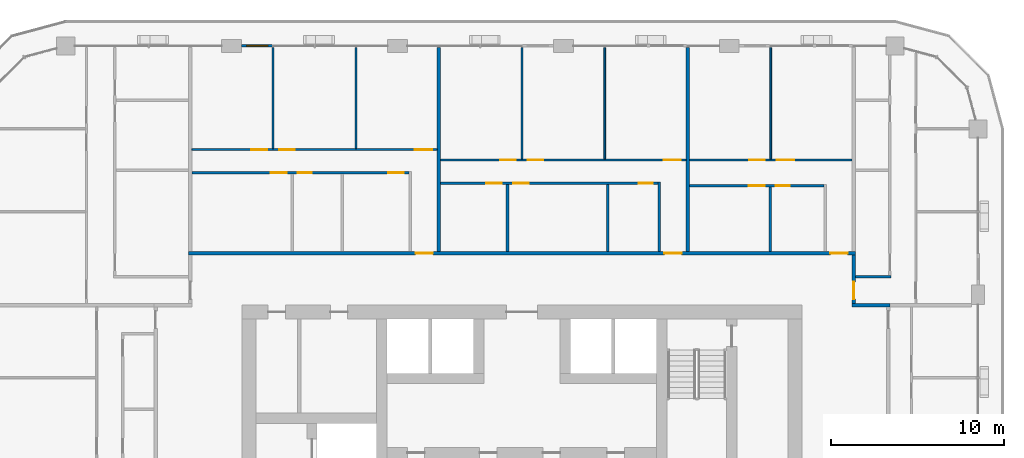
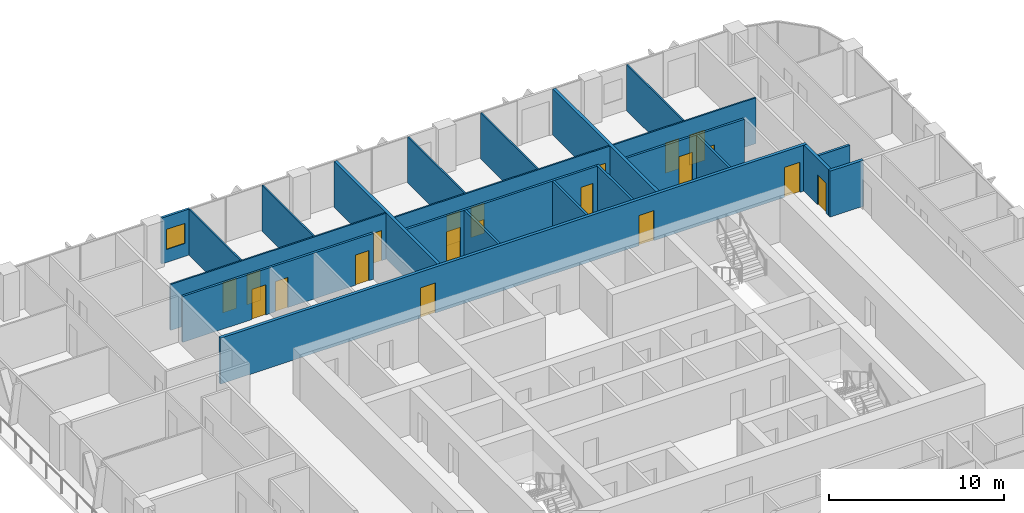
# One storey, part 14 of 22: 22 walls, 20 doors, 1 window, 21 openings.
"""IFC4 building model written with IfcOpenShell, lengths in metres."""

from ifc_helpers import new_model, si_unit, direction, frame, frame_2d, origin, place, context, subcontext, project, spatial, rectangle, extrude, material, layer, layer_set, type_object, element, fill, save


model = new_model("IFC4")

# Units and contexts
model_context = context("Model", 3, precision=1e-05, world=origin(), true_north=direction((0.0, 1.0)))
body_context = subcontext(model_context, "Body", "Model", "MODEL_VIEW")
ifc_project = project(units=[si_unit("LENGTHUNIT", "METRE"), si_unit("AREAUNIT", "SQUARE_METRE"), si_unit("VOLUMEUNIT", "CUBIC_METRE"), si_unit("PLANEANGLEUNIT", "RADIAN"), si_unit("MASSUNIT", "GRAM", prefix="KILO")], contexts=[model_context])

# Site, building, storey
site_placement = place(None, origin())
site = spatial("IfcSite", under=ifc_project, at=site_placement, CompositionType="ELEMENT")
building_placement = place(site_placement, origin())
building = spatial("IfcBuilding", under=site, at=building_placement, Name="Madar Terraces", CompositionType="ELEMENT")
storey_placement = place(building_placement, frame((0.0, 0.0, 126.10009765625)))
storey = spatial("IfcBuildingStorey", under=building, at=storey_placement, Name="L32", CompositionType="ELEMENT", Elevation=126.10009765625)

# Wall, opening, window
ifc_material_1 = material(Name="Aluminium composite panel, black, over insulated backing", Category="aluminium")
ifc_layer_1 = layer(ifc_material_1, 0.14990234375)
ifc_layer_set_1 = layer_set([ifc_layer_1], Name="Facade bay panel 150")
wall_type_1 = type_object("IfcWallType", Name="Facade bay panel 150", PredefinedType="SOLIDWALL", material=ifc_layer_set_1)
wall_1_placement = place(storey_placement, frame((16.800048828125, 52.800048828125, 0.0), z_axis=(0.0, 0.0, 1.0), x_axis=(-1.0, 0.0, 0.0)))
wall_1 = element("IfcWall", 1, at=wall_1_placement, inside=storey, type_object=wall_type_1, Name="Facade bay panel", PredefinedType="SOLIDWALL", context=body_context, shape_type="SweptSolid", body=[
    extrude(rectangle(XDim=1.824951171875, YDim=0.14990234375, at=frame_2d((0.91259765625, 0.0))), origin(), (0.0, 0.0, 1.0), 3.199951171875),
])
opening_1_placement = place(wall_1_placement, frame((0.3125, 0.0, 0.89990234375)))
opening_1 = element("IfcOpeningElement", 2, at=opening_1_placement, cuts=wall_1, Name="Opening W1", PredefinedType="OPENING", context=body_context, shape_type="SweptSolid", body=[
    extrude(rectangle(XDim=1.199951171875, YDim=1.39990234375, at=frame_2d((0.60009765625, 0.699951171875))), frame((0.0, 0.0849609375, 0.0), z_axis=(0.0, -1.0, 0.0), x_axis=(1.0, 0.0, 0.0)), (0.0, 0.0, 1.0), 0.169921875),
])
ifc_material_2 = material(Name="Glass, clear, with black aluminium frame", Category="aluminium")
window_type = type_object("IfcWindowType", Name="Vent window 1200 x 1400", PartitioningType="SINGLE_PANEL", PredefinedType="WINDOW", material=ifc_material_2)
window_placement = place(opening_1_placement, origin())
window = element("IfcWindow", 3, at=window_placement, inside=storey, type_object=window_type, Name="Operable vent window", OverallHeight=1.39990234375, OverallWidth=1.199951171875, PartitioningType="SINGLE_PANEL", PredefinedType="WINDOW", context=body_context, shape_type="SweptSolid", body=[
    extrude(rectangle(XDim=1.199951171875, YDim=1.39990234375, at=frame_2d((0.60009765625, 0.699951171875))), frame((0.0, 0.030029296875, 0.0), z_axis=(0.0, -1.0, 0.0), x_axis=(1.0, 0.0, 0.0)), (0.0, 0.0, 1.0), 0.06005859375),
])
fill(opening_1, window)

# Wall
ifc_material_3 = material(Name="Gypsum board on steel studs", Category="steel")
ifc_layer_2 = layer(ifc_material_3, 0.10009765625)
ifc_layer_set_2 = layer_set([ifc_layer_2], Name="Flat partition 100")
wall_type_2 = type_object("IfcWallType", Name="Flat partition 100", PredefinedType="PARTITIONING", material=ifc_layer_set_2)
wall_2_placement = place(storey_placement, frame((45.60009765625, 46.25, 0.0), z_axis=(0.0, 0.0, 1.0), x_axis=(0.0, 1.0, 0.0)))
element("IfcWall", 4, at=wall_2_placement, inside=storey, type_object=wall_type_2, Name="Flat partition 100", PredefinedType="PARTITIONING", context=body_context, shape_type="SweptSolid", body=[
    extrude(rectangle(XDim=6.449951171875, YDim=0.10009765625, at=frame_2d((3.22509765625, 0.0))), origin(), (0.0, 0.0, 1.0), 3.199951171875),
])

# Wall, openings, doors
wall_3_placement = place(storey_placement, frame((40.89990234375, 46.199951171875, 0.0), z_axis=(0.0, 0.0, 1.0), x_axis=(1.0, 0.0, 0.0)))
wall_3 = element("IfcWall", 5, at=wall_3_placement, inside=storey, type_object=wall_type_2, Name="Flat partition 100", PredefinedType="PARTITIONING", context=body_context, shape_type="SweptSolid", body=[
    extrude(rectangle(XDim=9.400146484375, YDim=0.10009765625, at=frame_2d((4.7001953125, 0.0))), origin(), (0.0, 0.0, 1.0), 3.199951171875),
])
opening_2_placement = place(wall_3_placement, frame((5.050048828125, 0.0, 0.0)))
opening_2 = element("IfcOpeningElement", 6, at=opening_2_placement, cuts=wall_3, Name="Opening D3", PredefinedType="OPENING", context=body_context, shape_type="SweptSolid", body=[
    extrude(rectangle(XDim=1.0, YDim=2.10009765625, at=frame_2d((0.5, 1.050048828125))), frame((0.0, 0.06005859375, 0.0), z_axis=(0.0, -1.0, 0.0), x_axis=(1.0, 0.0, 0.0)), (0.0, 0.0, 1.0), 0.1201171875),
])
opening_3_placement = place(wall_3_placement, frame((3.449951171875, 0.0, 0.0)))
opening_3 = element("IfcOpeningElement", 7, at=opening_3_placement, cuts=wall_3, Name="Opening D2", PredefinedType="OPENING", context=body_context, shape_type="SweptSolid", body=[
    extrude(rectangle(XDim=0.89990234375, YDim=2.10009765625, at=frame_2d((0.449951171875, 1.050048828125))), frame((0.0, 0.06005859375, 0.0), z_axis=(0.0, -1.0, 0.0), x_axis=(1.0, 0.0, 0.0)), (0.0, 0.0, 1.0), 0.1201171875),
])
ifc_material_4 = material(Name="Timber door leaf", Category="wood")
door_type_1 = type_object("IfcDoorType", Name="Flat living room door 1000", OperationType="NOTDEFINED", PredefinedType="DOOR", material=ifc_material_4)
door_1_placement = place(opening_2_placement, origin())
door_1 = element("IfcDoor", 8, at=door_1_placement, inside=storey, type_object=door_type_1, Name="Flat living room door 1000", OperationType="SINGLE_SWING_LEFT", OverallHeight=2.10009765625, OverallWidth=1.0, PredefinedType="DOOR", context=body_context, shape_type="SweptSolid", body=[
    extrude(rectangle(XDim=1.0, YDim=2.10009765625, at=frame_2d((0.5, 1.050048828125))), frame((0.0, 0.02490234375, 0.0), z_axis=(0.0, -1.0, 0.0), x_axis=(1.0, 0.0, 0.0)), (0.0, 0.0, 1.0), 0.050048828125),
])
fill(opening_2, door_1)
ifc_material_5 = material(Name="Timber door leaf", Category="wood")
door_type_2 = type_object("IfcDoorType", Name="Flat room door 900", OperationType="NOTDEFINED", PredefinedType="DOOR", material=ifc_material_5)
door_2_placement = place(opening_3_placement, origin())
door_2 = element("IfcDoor", 9, at=door_2_placement, inside=storey, type_object=door_type_2, Name="Flat room door 900", OperationType="SINGLE_SWING_RIGHT", OverallHeight=2.10009765625, OverallWidth=0.89990234375, PredefinedType="DOOR", context=body_context, shape_type="SweptSolid", body=[
    extrude(rectangle(XDim=0.89990234375, YDim=2.10009765625, at=frame_2d((0.449951171875, 1.050048828125))), frame((0.0, 0.02490234375, 0.0), z_axis=(0.0, -1.0, 0.0), x_axis=(1.0, 0.0, 0.0)), (0.0, 0.0, 1.0), 0.050048828125),
])
fill(opening_3, door_2)

# Walls
for number, where, z_axis, x_axis, name in (
    (10, (36.0, 46.25, 0.0), (0.0, 0.0, 1.0), (0.0, 1.0, 0.0), "Flat partition 100"),
    (11, (31.199951171875, 46.25, 0.0), (0.0, 0.0, 1.0), (0.0, 1.0, 0.0), "Flat partition 100"),
):
    element("IfcWall", number, at=place(storey_placement, frame(where, z_axis=z_axis, x_axis=x_axis)), inside=storey, type_object=wall_type_2, Name=name, PredefinedType="PARTITIONING", context=body_context, shape_type="SweptSolid", body=[
        extrude(rectangle(XDim=6.449951171875, YDim=0.10009765625, at=frame_2d((3.22509765625, 0.0))), origin(), (0.0, 0.0, 1.0), 3.199951171875),
    ])

# Wall, openings, doors
wall_4_placement = place(storey_placement, frame((26.5, 46.199951171875, 0.0), z_axis=(0.0, 0.0, 1.0), x_axis=(1.0, 0.0, 0.0)))
wall_4 = element("IfcWall", 12, at=wall_4_placement, inside=storey, type_object=wall_type_2, Name="Flat partition 100", PredefinedType="PARTITIONING", context=body_context, shape_type="SweptSolid", body=[
    extrude(rectangle(XDim=14.199951171875, YDim=0.10009765625, at=frame_2d((7.10009765625, 0.0))), origin(), (0.0, 0.0, 1.0), 3.199951171875),
])
opening_4_placement = place(wall_4_placement, frame((12.89990234375, 0.0, 0.0)))
opening_4 = element("IfcOpeningElement", 13, at=opening_4_placement, cuts=wall_4, Name="Opening D3", PredefinedType="OPENING", context=body_context, shape_type="SweptSolid", body=[
    extrude(rectangle(XDim=1.0, YDim=2.10009765625, at=frame_2d((0.5, 1.050048828125))), frame((0.0, 0.06005859375, 0.0), z_axis=(0.0, -1.0, 0.0), x_axis=(1.0, 0.0, 0.0)), (0.0, 0.0, 1.0), 0.1201171875),
])
opening_5_placement = place(wall_4_placement, frame((5.050048828125, 0.0, 0.0)))
opening_5 = element("IfcOpeningElement", 14, at=opening_5_placement, cuts=wall_4, Name="Opening D2", PredefinedType="OPENING", context=body_context, shape_type="SweptSolid", body=[
    extrude(rectangle(XDim=0.89990234375, YDim=2.10009765625, at=frame_2d((0.449951171875, 1.050048828125))), frame((0.0, 0.06005859375, 0.0), z_axis=(0.0, -1.0, 0.0), x_axis=(1.0, 0.0, 0.0)), (0.0, 0.0, 1.0), 0.1201171875),
])
opening_6_placement = place(wall_4_placement, frame((3.449951171875, 0.0, 0.0)))
opening_6 = element("IfcOpeningElement", 15, at=opening_6_placement, cuts=wall_4, Name="Opening D2", PredefinedType="OPENING", context=body_context, shape_type="SweptSolid", body=[
    extrude(rectangle(XDim=0.89990234375, YDim=2.10009765625, at=frame_2d((0.449951171875, 1.050048828125))), frame((0.0, 0.06005859375, 0.0), z_axis=(0.0, -1.0, 0.0), x_axis=(1.0, 0.0, 0.0)), (0.0, 0.0, 1.0), 0.1201171875),
])
door_3_placement = place(opening_4_placement, origin())
door_3 = element("IfcDoor", 16, at=door_3_placement, inside=storey, type_object=door_type_1, Name="Flat living room door 1000", OperationType="SINGLE_SWING_RIGHT", OverallHeight=2.10009765625, OverallWidth=1.0, PredefinedType="DOOR", context=body_context, shape_type="SweptSolid", body=[
    extrude(rectangle(XDim=1.0, YDim=2.10009765625, at=frame_2d((0.5, 1.050048828125))), frame((0.0, 0.02490234375, 0.0), z_axis=(0.0, -1.0, 0.0), x_axis=(1.0, 0.0, 0.0)), (0.0, 0.0, 1.0), 0.050048828125),
])
fill(opening_4, door_3)
door_4_placement = place(opening_5_placement, origin())
door_4 = element("IfcDoor", 17, at=door_4_placement, inside=storey, type_object=door_type_2, Name="Flat room door 900", OperationType="SINGLE_SWING_LEFT", OverallHeight=2.10009765625, OverallWidth=0.89990234375, PredefinedType="DOOR", context=body_context, shape_type="SweptSolid", body=[
    extrude(rectangle(XDim=0.89990234375, YDim=2.10009765625, at=frame_2d((0.449951171875, 1.050048828125))), frame((0.0, 0.02490234375, 0.0), z_axis=(0.0, -1.0, 0.0), x_axis=(1.0, 0.0, 0.0)), (0.0, 0.0, 1.0), 0.050048828125),
])
fill(opening_5, door_4)
door_5_placement = place(opening_6_placement, origin())
door_5 = element("IfcDoor", 18, at=door_5_placement, inside=storey, type_object=door_type_2, Name="Flat room door 900", OperationType="SINGLE_SWING_RIGHT", OverallHeight=2.10009765625, OverallWidth=0.89990234375, PredefinedType="DOOR", context=body_context, shape_type="SweptSolid", body=[
    extrude(rectangle(XDim=0.89990234375, YDim=2.10009765625, at=frame_2d((0.449951171875, 1.050048828125))), frame((0.0, 0.02490234375, 0.0), z_axis=(0.0, -1.0, 0.0), x_axis=(1.0, 0.0, 0.0)), (0.0, 0.0, 1.0), 0.050048828125),
])
fill(opening_6, door_5)

# Walls
for number, where, z_axis, x_axis, name in (
    (19, (21.60009765625, 46.85009765625, 0.0), (0.0, 0.0, 1.0), (0.0, 1.0, 0.0), "Flat partition 100"),
    (20, (16.800048828125, 46.85009765625, 0.0), (0.0, 0.0, 1.0), (0.0, 1.0, 0.0), "Flat partition 100"),
):
    element("IfcWall", number, at=place(storey_placement, frame(where, z_axis=z_axis, x_axis=x_axis)), inside=storey, type_object=wall_type_2, Name=name, PredefinedType="PARTITIONING", context=body_context, shape_type="SweptSolid", body=[
        extrude(rectangle(XDim=5.849853515625, YDim=0.10009765625, at=frame_2d((2.9248046875, 0.0))), origin(), (0.0, 0.0, 1.0), 3.199951171875),
    ])

# Wall, openings, doors
wall_5_placement = place(storey_placement, frame((12.10009765625, 46.800048828125, 0.0), z_axis=(0.0, 0.0, 1.0), x_axis=(1.0, 0.0, 0.0)))
wall_5 = element("IfcWall", 21, at=wall_5_placement, inside=storey, type_object=wall_type_2, Name="Flat partition 100", PredefinedType="PARTITIONING", context=body_context, shape_type="SweptSolid", body=[
    extrude(rectangle(XDim=14.199951171875, YDim=0.10009765625, at=frame_2d((7.10009765625, 0.0))), origin(), (0.0, 0.0, 1.0), 3.199951171875),
])
opening_7_placement = place(wall_5_placement, frame((12.89990234375, 0.0, 0.0)))
opening_7 = element("IfcOpeningElement", 22, at=opening_7_placement, cuts=wall_5, Name="Opening D3", PredefinedType="OPENING", context=body_context, shape_type="SweptSolid", body=[
    extrude(rectangle(XDim=1.0, YDim=2.10009765625, at=frame_2d((0.5, 1.050048828125))), frame((0.0, 0.06005859375, 0.0), z_axis=(0.0, -1.0, 0.0), x_axis=(1.0, 0.0, 0.0)), (0.0, 0.0, 1.0), 0.1201171875),
])
opening_8_placement = place(wall_5_placement, frame((5.050048828125, 0.0, 0.0)))
opening_8 = element("IfcOpeningElement", 23, at=opening_8_placement, cuts=wall_5, Name="Opening D2", PredefinedType="OPENING", context=body_context, shape_type="SweptSolid", body=[
    extrude(rectangle(XDim=0.89990234375, YDim=2.10009765625, at=frame_2d((0.449951171875, 1.050048828125))), frame((0.0, 0.06005859375, 0.0), z_axis=(0.0, -1.0, 0.0), x_axis=(1.0, 0.0, 0.0)), (0.0, 0.0, 1.0), 0.1201171875),
])
opening_9_placement = place(wall_5_placement, frame((3.449951171875, 0.0, 0.0)))
opening_9 = element("IfcOpeningElement", 24, at=opening_9_placement, cuts=wall_5, Name="Opening D2", PredefinedType="OPENING", context=body_context, shape_type="SweptSolid", body=[
    extrude(rectangle(XDim=0.89990234375, YDim=2.10009765625, at=frame_2d((0.449951171875, 1.050048828125))), frame((0.0, 0.06005859375, 0.0), z_axis=(0.0, -1.0, 0.0), x_axis=(1.0, 0.0, 0.0)), (0.0, 0.0, 1.0), 0.1201171875),
])
door_6_placement = place(opening_7_placement, origin())
door_6 = element("IfcDoor", 25, at=door_6_placement, inside=storey, type_object=door_type_1, Name="Flat living room door 1000", OperationType="SINGLE_SWING_RIGHT", OverallHeight=2.10009765625, OverallWidth=1.0, PredefinedType="DOOR", context=body_context, shape_type="SweptSolid", body=[
    extrude(rectangle(XDim=1.0, YDim=2.10009765625, at=frame_2d((0.5, 1.050048828125))), frame((0.0, 0.02490234375, 0.0), z_axis=(0.0, -1.0, 0.0), x_axis=(1.0, 0.0, 0.0)), (0.0, 0.0, 1.0), 0.050048828125),
])
fill(opening_7, door_6)
door_7_placement = place(opening_8_placement, origin())
door_7 = element("IfcDoor", 26, at=door_7_placement, inside=storey, type_object=door_type_2, Name="Flat room door 900", OperationType="SINGLE_SWING_LEFT", OverallHeight=2.10009765625, OverallWidth=0.89990234375, PredefinedType="DOOR", context=body_context, shape_type="SweptSolid", body=[
    extrude(rectangle(XDim=0.89990234375, YDim=2.10009765625, at=frame_2d((0.449951171875, 1.050048828125))), frame((0.0, 0.02490234375, 0.0), z_axis=(0.0, -1.0, 0.0), x_axis=(1.0, 0.0, 0.0)), (0.0, 0.0, 1.0), 0.050048828125),
])
fill(opening_8, door_7)
door_8_placement = place(opening_9_placement, origin())
door_8 = element("IfcDoor", 27, at=door_8_placement, inside=storey, type_object=door_type_2, Name="Flat room door 900", OperationType="SINGLE_SWING_RIGHT", OverallHeight=2.10009765625, OverallWidth=0.89990234375, PredefinedType="DOOR", context=body_context, shape_type="SweptSolid", body=[
    extrude(rectangle(XDim=0.89990234375, YDim=2.10009765625, at=frame_2d((0.449951171875, 1.050048828125))), frame((0.0, 0.02490234375, 0.0), z_axis=(0.0, -1.0, 0.0), x_axis=(1.0, 0.0, 0.0)), (0.0, 0.0, 1.0), 0.050048828125),
])
fill(opening_9, door_8)

# Wall
ifc_material_6 = material(Name="Lightweight blockwork", Category="masonry")
ifc_layer_3 = layer(ifc_material_6, 0.199951171875)
ifc_layer_set_3 = layer_set([ifc_layer_3], Name="Flat party and entrance wall 200")
wall_type_3 = type_object("IfcWallType", Name="Flat party and entrance wall 200", PredefinedType="PARTITIONING", material=ifc_layer_set_3)
wall_6_placement = place(storey_placement, frame((52.5, 37.800048828125, 0.0), z_axis=(0.0, 0.0, 1.0), x_axis=(-1.0, 0.0, 0.0)))
element("IfcWall", 28, at=wall_6_placement, inside=storey, type_object=wall_type_3, Name="Flat party and entrance wall 200", PredefinedType="PARTITIONING", context=body_context, shape_type="SweptSolid", body=[
    extrude(rectangle(XDim=2.199951171875, YDim=0.199951171875, at=frame_2d((1.10009765625, 0.0))), origin(), (0.0, 0.0, 1.0), 3.199951171875),
])

# Wall, opening, door
wall_7_placement = place(storey_placement, frame((50.39990234375, 40.699951171875, 0.0), z_axis=(0.0, 0.0, 1.0), x_axis=(0.0, -1.0, 0.0)))
wall_7 = element("IfcWall", 29, at=wall_7_placement, inside=storey, type_object=wall_type_3, Name="Flat party and entrance wall 200", PredefinedType="PARTITIONING", context=body_context, shape_type="SweptSolid", body=[
    extrude(rectangle(XDim=2.800048828125, YDim=0.199951171875, at=frame_2d((1.39990234375, 0.0))), origin(), (0.0, 0.0, 1.0), 3.199951171875),
])
opening_10_placement = place(wall_7_placement, frame((1.550048828125, 0.0, 0.0)))
opening_10 = element("IfcOpeningElement", 30, at=opening_10_placement, cuts=wall_7, Name="Opening D1", PredefinedType="OPENING", context=body_context, shape_type="SweptSolid", body=[
    extrude(rectangle(XDim=1.0, YDim=2.10009765625, at=frame_2d((0.5, 1.050048828125))), frame((0.0, 0.10986328125, 0.0), z_axis=(0.0, -1.0, 0.0), x_axis=(1.0, 0.0, 0.0)), (0.0, 0.0, 1.0), 0.219970703125),
])
ifc_material_7 = material(Name="Timber fire door leaf", Category="wood")
door_type_3 = type_object("IfcDoorType", Name="Flat entrance door 1000 FD30S", OperationType="NOTDEFINED", PredefinedType="DOOR", material=ifc_material_7)
door_9_placement = place(opening_10_placement, origin())
door_9 = element("IfcDoor", 31, at=door_9_placement, inside=storey, type_object=door_type_3, Name="Flat entrance door 1000 FD30S", OperationType="SINGLE_SWING_RIGHT", OverallHeight=2.10009765625, OverallWidth=1.0, PredefinedType="DOOR", context=body_context, shape_type="SweptSolid", body=[
    extrude(rectangle(XDim=1.0, YDim=2.10009765625, at=frame_2d((0.5, 1.050048828125))), frame((0.0, 0.02490234375, 0.0), z_axis=(0.0, -1.0, 0.0), x_axis=(1.0, 0.0, 0.0)), (0.0, 0.0, 1.0), 0.050048828125),
])
fill(opening_10, door_9)

# Wall, openings, doors
wall_8_placement = place(storey_placement, frame((11.89990234375, 40.800048828125, 0.0), z_axis=(0.0, 0.0, 1.0), x_axis=(1.0, 0.0, 0.0)))
wall_8 = element("IfcWall", 32, at=wall_8_placement, inside=storey, type_object=wall_type_3, Name="Flat party and entrance wall 200", PredefinedType="PARTITIONING", context=body_context, shape_type="SweptSolid", body=[
    extrude(rectangle(XDim=38.60009765625, YDim=0.199951171875, at=frame_2d((19.300048828125, 0.0))), origin(), (0.0, 0.0, 1.0), 3.199951171875),
])
opening_11_placement = place(wall_8_placement, frame((37.14990234375, 0.0, 0.0)))
opening_11 = element("IfcOpeningElement", 33, at=opening_11_placement, cuts=wall_8, Name="Opening D1", PredefinedType="OPENING", context=body_context, shape_type="SweptSolid", body=[
    extrude(rectangle(XDim=1.0, YDim=2.10009765625, at=frame_2d((0.5, 1.050048828125))), frame((0.0, 0.10986328125, 0.0), z_axis=(0.0, -1.0, 0.0), x_axis=(1.0, 0.0, 0.0)), (0.0, 0.0, 1.0), 0.219970703125),
])
opening_12_placement = place(wall_8_placement, frame((27.550048828125, 0.0, 0.0)))
opening_12 = element("IfcOpeningElement", 34, at=opening_12_placement, cuts=wall_8, Name="Opening D1", PredefinedType="OPENING", context=body_context, shape_type="SweptSolid", body=[
    extrude(rectangle(XDim=1.0, YDim=2.10009765625, at=frame_2d((0.5, 1.050048828125))), frame((0.0, 0.10986328125, 0.0), z_axis=(0.0, -1.0, 0.0), x_axis=(1.0, 0.0, 0.0)), (0.0, 0.0, 1.0), 0.219970703125),
])
opening_13_placement = place(wall_8_placement, frame((13.14990234375, 0.0, 0.0)))
opening_13 = element("IfcOpeningElement", 35, at=opening_13_placement, cuts=wall_8, Name="Opening D1", PredefinedType="OPENING", context=body_context, shape_type="SweptSolid", body=[
    extrude(rectangle(XDim=1.0, YDim=2.10009765625, at=frame_2d((0.5, 1.050048828125))), frame((0.0, 0.10986328125, 0.0), z_axis=(0.0, -1.0, 0.0), x_axis=(1.0, 0.0, 0.0)), (0.0, 0.0, 1.0), 0.219970703125),
])
door_10_placement = place(opening_11_placement, origin())
door_10 = element("IfcDoor", 36, at=door_10_placement, inside=storey, type_object=door_type_3, Name="Flat entrance door 1000 FD30S", OperationType="SINGLE_SWING_RIGHT", OverallHeight=2.10009765625, OverallWidth=1.0, PredefinedType="DOOR", context=body_context, shape_type="SweptSolid", body=[
    extrude(rectangle(XDim=1.0, YDim=2.10009765625, at=frame_2d((0.5, 1.050048828125))), frame((0.0, 0.02490234375, 0.0), z_axis=(0.0, -1.0, 0.0), x_axis=(1.0, 0.0, 0.0)), (0.0, 0.0, 1.0), 0.050048828125),
])
fill(opening_11, door_10)
door_11_placement = place(opening_12_placement, origin())
door_11 = element("IfcDoor", 37, at=door_11_placement, inside=storey, type_object=door_type_3, Name="Flat entrance door 1000 FD30S", OperationType="SINGLE_SWING_RIGHT", OverallHeight=2.10009765625, OverallWidth=1.0, PredefinedType="DOOR", context=body_context, shape_type="SweptSolid", body=[
    extrude(rectangle(XDim=1.0, YDim=2.10009765625, at=frame_2d((0.5, 1.050048828125))), frame((0.0, 0.02490234375, 0.0), z_axis=(0.0, -1.0, 0.0), x_axis=(1.0, 0.0, 0.0)), (0.0, 0.0, 1.0), 0.050048828125),
])
fill(opening_12, door_11)
door_12_placement = place(opening_13_placement, origin())
door_12 = element("IfcDoor", 38, at=door_12_placement, inside=storey, type_object=door_type_3, Name="Flat entrance door 1000 FD30S", OperationType="SINGLE_SWING_RIGHT", OverallHeight=2.10009765625, OverallWidth=1.0, PredefinedType="DOOR", context=body_context, shape_type="SweptSolid", body=[
    extrude(rectangle(XDim=1.0, YDim=2.10009765625, at=frame_2d((0.5, 1.050048828125))), frame((0.0, 0.02490234375, 0.0), z_axis=(0.0, -1.0, 0.0), x_axis=(1.0, 0.0, 0.0)), (0.0, 0.0, 1.0), 0.050048828125),
])
fill(opening_13, door_12)

# Walls
for number, where, z_axis, x_axis, name in (
    (39, (40.800048828125, 52.699951171875, 0.0), (0.0, 0.0, 1.0), (0.0, -1.0, 0.0), "Flat party and entrance wall 200"),
    (40, (26.39990234375, 52.699951171875, 0.0), (0.0, 0.0, 1.0), (0.0, -1.0, 0.0), "Flat party and entrance wall 200"),
):
    element("IfcWall", number, at=place(storey_placement, frame(where, z_axis=z_axis, x_axis=x_axis)), inside=storey, type_object=wall_type_3, Name=name, PredefinedType="PARTITIONING", context=body_context, shape_type="SweptSolid", body=[
        extrude(rectangle(XDim=11.800048828125, YDim=0.199951171875, at=frame_2d((5.89990234375, 0.0))), origin(), (0.0, 0.0, 1.0), 3.199951171875),
    ])
ifc_material_8 = material(Name="Lightweight blockwork", Category="masonry")
ifc_layer_4 = layer(ifc_material_8, 0.14990234375)
ifc_layer_set_4 = layer_set([ifc_layer_4], Name="Flat wet-room partition 150")
wall_type_4 = type_object("IfcWallType", Name="Flat wet-room partition 150", PredefinedType="PARTITIONING", material=ifc_layer_set_4)
wall_9_placement = place(storey_placement, frame((50.5, 39.449951171875, 0.0), z_axis=(0.0, 0.0, 1.0), x_axis=(1.0, 0.0, 0.0)))
element("IfcWall", 41, at=wall_9_placement, inside=storey, type_object=wall_type_4, Name="Flat wet-room partition 150", PredefinedType="PARTITIONING", context=body_context, shape_type="SweptSolid", body=[
    extrude(rectangle(XDim=2.074951171875, YDim=0.14990234375, at=frame_2d((1.03759765625, 0.0))), origin(), (0.0, 0.0, 1.0), 3.199951171875),
])
wall_10_placement = place(storey_placement, frame((45.56494140625, 40.89990234375, 0.0), z_axis=(0.0, 0.0, 1.0), x_axis=(0.0, 1.0, 0.0)))
element("IfcWall", 42, at=wall_10_placement, inside=storey, type_object=wall_type_4, Name="Flat wet-room partition 150", PredefinedType="PARTITIONING", context=body_context, shape_type="SweptSolid", body=[
    extrude(rectangle(XDim=3.72509765625, YDim=0.14990234375, at=frame_2d((1.862548828125, 0.0))), origin(), (0.0, 0.0, 1.0), 3.199951171875),
])

# Wall, openings, doors
wall_11_placement = place(storey_placement, frame((48.675048828125, 44.699951171875, 0.0), z_axis=(0.0, 0.0, 1.0), x_axis=(-1.0, 0.0, 0.0)))
wall_11 = element("IfcWall", 43, at=wall_11_placement, inside=storey, type_object=wall_type_4, Name="Flat wet-room partition 150", PredefinedType="PARTITIONING", context=body_context, shape_type="SweptSolid", body=[
    extrude(rectangle(XDim=7.775146484375, YDim=0.14990234375, at=frame_2d((3.8876953125, 0.0))), origin(), (0.0, 0.0, 1.0), 3.199951171875),
])
opening_14_placement = place(wall_11_placement, frame((1.985107421875, 0.0, 0.0)))
opening_14 = element("IfcOpeningElement", 44, at=opening_14_placement, cuts=wall_11, Name="Opening D4", PredefinedType="OPENING", context=body_context, shape_type="SweptSolid", body=[
    extrude(rectangle(XDim=0.800048828125, YDim=2.10009765625, at=frame_2d((0.39990234375, 1.050048828125))), frame((0.0, 0.0849609375, 0.0), z_axis=(0.0, -1.0, 0.0), x_axis=(1.0, 0.0, 0.0)), (0.0, 0.0, 1.0), 0.169921875),
])
opening_15_placement = place(wall_11_placement, frame((3.43505859375, 0.0, 0.0)))
opening_15 = element("IfcOpeningElement", 45, at=opening_15_placement, cuts=wall_11, Name="Opening D2", PredefinedType="OPENING", context=body_context, shape_type="SweptSolid", body=[
    extrude(rectangle(XDim=0.89990234375, YDim=2.10009765625, at=frame_2d((0.449951171875, 1.050048828125))), frame((0.0, 0.0849609375, 0.0), z_axis=(0.0, -1.0, 0.0), x_axis=(1.0, 0.0, 0.0)), (0.0, 0.0, 1.0), 0.169921875),
])
ifc_material_9 = material(Name="Timber door leaf", Category="wood")
door_type_4 = type_object("IfcDoorType", Name="Flat bathroom door 800", OperationType="NOTDEFINED", PredefinedType="DOOR", material=ifc_material_9)
door_13_placement = place(opening_14_placement, origin())
door_13 = element("IfcDoor", 46, at=door_13_placement, inside=storey, type_object=door_type_4, Name="Flat bathroom door 800", OperationType="SINGLE_SWING_RIGHT", OverallHeight=2.10009765625, OverallWidth=0.800048828125, PredefinedType="DOOR", context=body_context, shape_type="SweptSolid", body=[
    extrude(rectangle(XDim=0.800048828125, YDim=2.10009765625, at=frame_2d((0.39990234375, 1.050048828125))), frame((0.0, 0.02490234375, 0.0), z_axis=(0.0, -1.0, 0.0), x_axis=(1.0, 0.0, 0.0)), (0.0, 0.0, 1.0), 0.050048828125),
])
fill(opening_14, door_13)
door_14_placement = place(opening_15_placement, origin())
door_14 = element("IfcDoor", 47, at=door_14_placement, inside=storey, type_object=door_type_2, Name="Flat room door 900", OperationType="SINGLE_SWING_LEFT", OverallHeight=2.10009765625, OverallWidth=0.89990234375, PredefinedType="DOOR", context=body_context, shape_type="SweptSolid", body=[
    extrude(rectangle(XDim=0.89990234375, YDim=2.10009765625, at=frame_2d((0.449951171875, 1.050048828125))), frame((0.0, 0.02490234375, 0.0), z_axis=(0.0, -1.0, 0.0), x_axis=(1.0, 0.0, 0.0)), (0.0, 0.0, 1.0), 0.050048828125),
])
fill(opening_15, door_14)

# Walls
for number, where, z_axis, x_axis, name in (
    (48, (36.173095703125, 40.89990234375, 0.0), (0.0, 0.0, 1.0), (0.0, 1.0, 0.0), "Flat wet-room partition 150"),
    (49, (30.369384765625, 40.89990234375, 0.0), (0.0, 0.0, 1.0), (0.0, 1.0, 0.0), "Flat wet-room partition 150"),
):
    element("IfcWall", number, at=place(storey_placement, frame(where, z_axis=z_axis, x_axis=x_axis)), inside=storey, type_object=wall_type_4, Name=name, PredefinedType="PARTITIONING", context=body_context, shape_type="SweptSolid", body=[
        extrude(rectangle(XDim=3.875, YDim=0.14990234375, at=frame_2d((1.9375, 0.0))), origin(), (0.0, 0.0, 1.0), 3.199951171875),
    ])
wall_12_placement = place(storey_placement, frame((39.14990234375, 40.89990234375, 0.0), z_axis=(0.0, 0.0, 1.0), x_axis=(0.0, 1.0, 0.0)))
element("IfcWall", 50, at=wall_12_placement, inside=storey, type_object=wall_type_4, Name="Flat wet-room partition 150", PredefinedType="PARTITIONING", context=body_context, shape_type="SweptSolid", body=[
    extrude(rectangle(XDim=4.025146484375, YDim=0.14990234375, at=frame_2d((2.0126953125, 0.0))), origin(), (0.0, 0.0, 1.0), 3.199951171875),
])

# Wall, openings, doors
wall_13_placement = place(storey_placement, frame((39.074951171875, 44.85009765625, 0.0), z_axis=(0.0, 0.0, 1.0), x_axis=(-1.0, 0.0, 0.0)))
wall_13 = element("IfcWall", 51, at=wall_13_placement, inside=storey, type_object=wall_type_4, Name="Flat wet-room partition 150", PredefinedType="PARTITIONING", context=body_context, shape_type="SweptSolid", body=[
    extrude(rectangle(XDim=12.574951171875, YDim=0.14990234375, at=frame_2d((6.28759765625, 0.0))), origin(), (0.0, 0.0, 1.0), 3.199951171875),
])
opening_16_placement = place(wall_13_placement, frame((0.300048828125, 0.0, 0.0)))
opening_16 = element("IfcOpeningElement", 52, at=opening_16_placement, cuts=wall_13, Name="Opening D4", PredefinedType="OPENING", context=body_context, shape_type="SweptSolid", body=[
    extrude(rectangle(XDim=0.800048828125, YDim=2.10009765625, at=frame_2d((0.39990234375, 1.050048828125))), frame((0.0, 0.0849609375, 0.0), z_axis=(0.0, -1.0, 0.0), x_axis=(1.0, 0.0, 0.0)), (0.0, 0.0, 1.0), 0.169921875),
])
opening_17_placement = place(wall_13_placement, frame((7.480712890625, 0.0, 0.0)))
opening_17 = element("IfcOpeningElement", 53, at=opening_17_placement, cuts=wall_13, Name="Opening D2", PredefinedType="OPENING", context=body_context, shape_type="SweptSolid", body=[
    extrude(rectangle(XDim=0.89990234375, YDim=2.10009765625, at=frame_2d((0.449951171875, 1.050048828125))), frame((0.0, 0.0849609375, 0.0), z_axis=(0.0, -1.0, 0.0), x_axis=(1.0, 0.0, 0.0)), (0.0, 0.0, 1.0), 0.169921875),
])
opening_18_placement = place(wall_13_placement, frame((9.03076171875, 0.0, 0.0)))
opening_18 = element("IfcOpeningElement", 54, at=opening_18_placement, cuts=wall_13, Name="Opening D5", PredefinedType="OPENING", context=body_context, shape_type="SweptSolid", body=[
    extrude(rectangle(XDim=0.89990234375, YDim=2.10009765625, at=frame_2d((0.449951171875, 1.050048828125))), frame((0.0, 0.0849609375, 0.0), z_axis=(0.0, -1.0, 0.0), x_axis=(1.0, 0.0, 0.0)), (0.0, 0.0, 1.0), 0.169921875),
])
ifc_material_10 = material(Name="Timber door leaf", Category="wood")
door_type_5 = type_object("IfcDoorType", Name="Flat accessible bathroom door 900", OperationType="NOTDEFINED", PredefinedType="DOOR", material=ifc_material_10)
door_15_placement = place(opening_18_placement, origin())
door_15 = element("IfcDoor", 55, at=door_15_placement, inside=storey, type_object=door_type_5, Name="Flat accessible bathroom door 900", OperationType="SINGLE_SWING_LEFT", OverallHeight=2.10009765625, OverallWidth=0.89990234375, PredefinedType="DOOR", context=body_context, shape_type="SweptSolid", body=[
    extrude(rectangle(XDim=0.89990234375, YDim=2.10009765625, at=frame_2d((0.449951171875, 1.050048828125))), frame((0.0, 0.02490234375, 0.0), z_axis=(0.0, -1.0, 0.0), x_axis=(1.0, 0.0, 0.0)), (0.0, 0.0, 1.0), 0.050048828125),
])
fill(opening_18, door_15)
door_16_placement = place(opening_16_placement, origin())
door_16 = element("IfcDoor", 56, at=door_16_placement, inside=storey, type_object=door_type_4, Name="Flat bathroom door 800", OperationType="SINGLE_SWING_LEFT", OverallHeight=2.10009765625, OverallWidth=0.800048828125, PredefinedType="DOOR", context=body_context, shape_type="SweptSolid", body=[
    extrude(rectangle(XDim=0.800048828125, YDim=2.10009765625, at=frame_2d((0.39990234375, 1.050048828125))), frame((0.0, 0.02490234375, 0.0), z_axis=(0.0, -1.0, 0.0), x_axis=(1.0, 0.0, 0.0)), (0.0, 0.0, 1.0), 0.050048828125),
])
fill(opening_16, door_16)
door_17_placement = place(opening_17_placement, origin())
door_17 = element("IfcDoor", 57, at=door_17_placement, inside=storey, type_object=door_type_2, Name="Flat room door 900", OperationType="SINGLE_SWING_RIGHT", OverallHeight=2.10009765625, OverallWidth=0.89990234375, PredefinedType="DOOR", context=body_context, shape_type="SweptSolid", body=[
    extrude(rectangle(XDim=0.89990234375, YDim=2.10009765625, at=frame_2d((0.449951171875, 1.050048828125))), frame((0.0, 0.02490234375, 0.0), z_axis=(0.0, -1.0, 0.0), x_axis=(1.0, 0.0, 0.0)), (0.0, 0.0, 1.0), 0.050048828125),
])
fill(opening_17, door_17)

wall_14_placement = place(storey_placement, frame((24.675048828125, 45.449951171875, 0.0), z_axis=(0.0, 0.0, 1.0), x_axis=(-1.0, 0.0, 0.0)))
wall_14 = element("IfcWall", 58, at=wall_14_placement, inside=storey, type_object=wall_type_4, Name="Flat wet-room partition 150", PredefinedType="PARTITIONING", context=body_context, shape_type="SweptSolid", body=[
    extrude(rectangle(XDim=12.574951171875, YDim=0.14990234375, at=frame_2d((6.28759765625, 0.0))), origin(), (0.0, 0.0, 1.0), 3.199951171875),
])
opening_19_placement = place(wall_14_placement, frame((0.300048828125, 0.0, 0.0)))
opening_19 = element("IfcOpeningElement", 59, at=opening_19_placement, cuts=wall_14, Name="Opening D5", PredefinedType="OPENING", context=body_context, shape_type="SweptSolid", body=[
    extrude(rectangle(XDim=0.89990234375, YDim=2.10009765625, at=frame_2d((0.449951171875, 1.050048828125))), frame((0.0, 0.0849609375, 0.0), z_axis=(0.0, -1.0, 0.0), x_axis=(1.0, 0.0, 0.0)), (0.0, 0.0, 1.0), 0.169921875),
])
opening_20_placement = place(wall_14_placement, frame((5.64599609375, 0.0, 0.0)))
opening_20 = element("IfcOpeningElement", 60, at=opening_20_placement, cuts=wall_14, Name="Opening D4", PredefinedType="OPENING", context=body_context, shape_type="SweptSolid", body=[
    extrude(rectangle(XDim=0.800048828125, YDim=2.10009765625, at=frame_2d((0.39990234375, 1.050048828125))), frame((0.0, 0.0849609375, 0.0), z_axis=(0.0, -1.0, 0.0), x_axis=(1.0, 0.0, 0.0)), (0.0, 0.0, 1.0), 0.169921875),
])
opening_21_placement = place(wall_14_placement, frame((7.09619140625, 0.0, 0.0)))
opening_21 = element("IfcOpeningElement", 61, at=opening_21_placement, cuts=wall_14, Name="Opening D2", PredefinedType="OPENING", context=body_context, shape_type="SweptSolid", body=[
    extrude(rectangle(XDim=0.89990234375, YDim=2.10009765625, at=frame_2d((0.449951171875, 1.050048828125))), frame((0.0, 0.0849609375, 0.0), z_axis=(0.0, -1.0, 0.0), x_axis=(1.0, 0.0, 0.0)), (0.0, 0.0, 1.0), 0.169921875),
])
door_18_placement = place(opening_19_placement, origin())
door_18 = element("IfcDoor", 62, at=door_18_placement, inside=storey, type_object=door_type_5, Name="Flat accessible bathroom door 900", OperationType="SINGLE_SWING_LEFT", OverallHeight=2.10009765625, OverallWidth=0.89990234375, PredefinedType="DOOR", context=body_context, shape_type="SweptSolid", body=[
    extrude(rectangle(XDim=0.89990234375, YDim=2.10009765625, at=frame_2d((0.449951171875, 1.050048828125))), frame((0.0, 0.02490234375, 0.0), z_axis=(0.0, -1.0, 0.0), x_axis=(1.0, 0.0, 0.0)), (0.0, 0.0, 1.0), 0.050048828125),
])
fill(opening_19, door_18)
door_19_placement = place(opening_20_placement, origin())
door_19 = element("IfcDoor", 63, at=door_19_placement, inside=storey, type_object=door_type_4, Name="Flat bathroom door 800", OperationType="SINGLE_SWING_RIGHT", OverallHeight=2.10009765625, OverallWidth=0.800048828125, PredefinedType="DOOR", context=body_context, shape_type="SweptSolid", body=[
    extrude(rectangle(XDim=0.800048828125, YDim=2.10009765625, at=frame_2d((0.39990234375, 1.050048828125))), frame((0.0, 0.02490234375, 0.0), z_axis=(0.0, -1.0, 0.0), x_axis=(1.0, 0.0, 0.0)), (0.0, 0.0, 1.0), 0.050048828125),
])
fill(opening_20, door_19)
door_20_placement = place(opening_21_placement, origin())
door_20 = element("IfcDoor", 64, at=door_20_placement, inside=storey, type_object=door_type_2, Name="Flat room door 900", OperationType="SINGLE_SWING_LEFT", OverallHeight=2.10009765625, OverallWidth=0.89990234375, PredefinedType="DOOR", context=body_context, shape_type="SweptSolid", body=[
    extrude(rectangle(XDim=0.89990234375, YDim=2.10009765625, at=frame_2d((0.449951171875, 1.050048828125))), frame((0.0, 0.02490234375, 0.0), z_axis=(0.0, -1.0, 0.0), x_axis=(1.0, 0.0, 0.0)), (0.0, 0.0, 1.0), 0.050048828125),
])
fill(opening_21, door_20)

save(model, "model.ifc")
